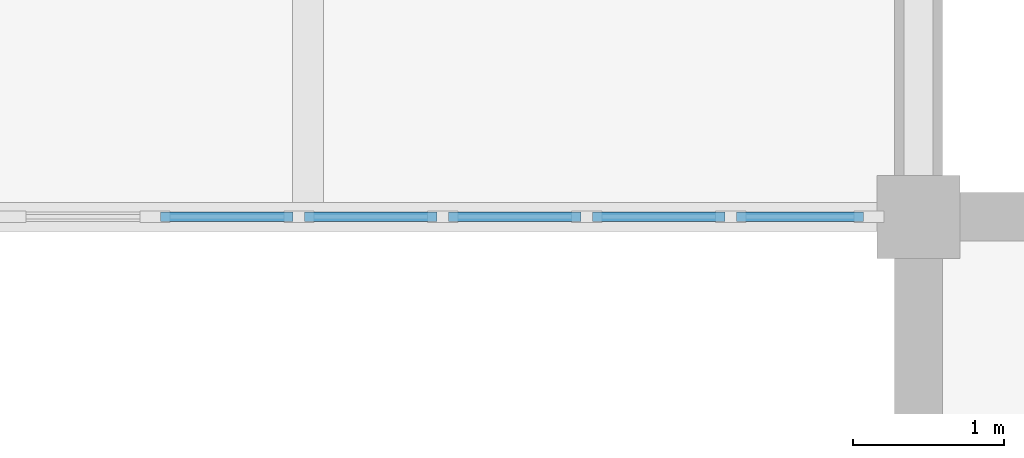
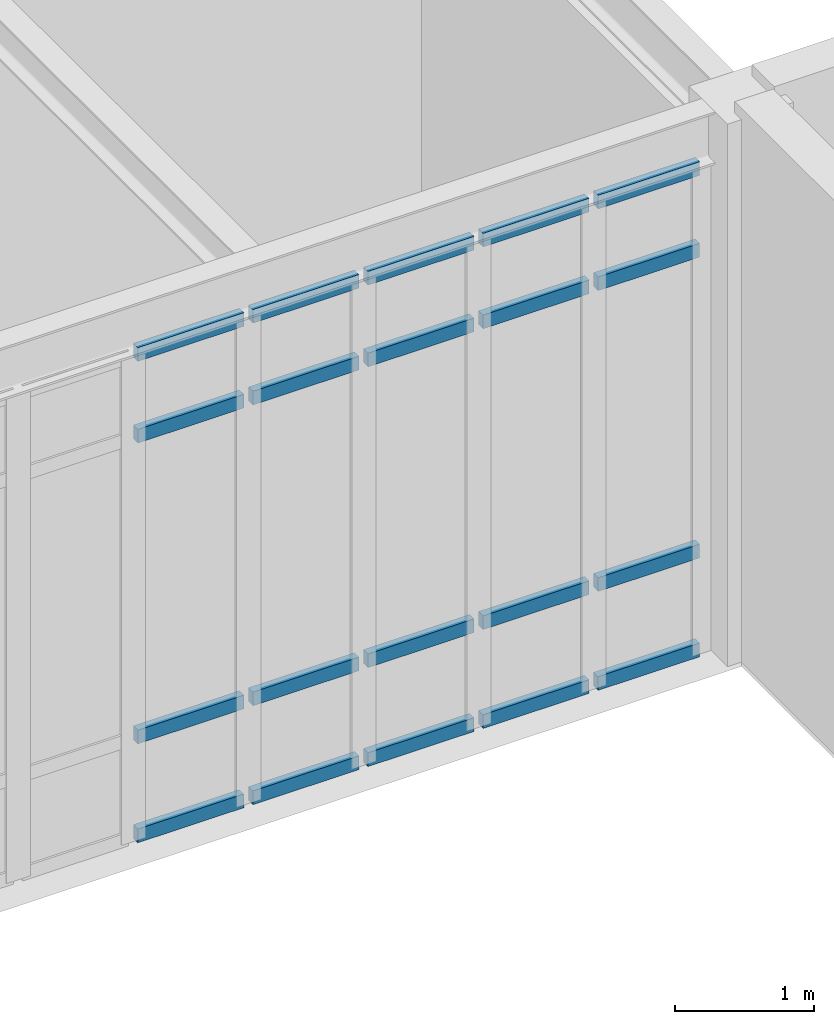
# One storey, part 39 of 70: 20 members, 1 element without a shape of its own.
"""IFC4 building model written with IfcOpenShell, lengths in metres."""

from ifc_helpers import new_model, si_unit, direction, frame, origin, origin_2d, place, context, subcontext, project, spatial, rectangle, extrude, material, material_profile, profile_set, type_object, element, aggregate, save


model = new_model("IFC4")

# Units and contexts
model_context = context("Model", 3, precision=1e-05, world=origin(), true_north=direction((0.0, 1.0)))
body_context = subcontext(model_context, "Body", "Model", "MODEL_VIEW")
ifc_project = project(units=[si_unit("LENGTHUNIT", "METRE"), si_unit("AREAUNIT", "SQUARE_METRE"), si_unit("VOLUMEUNIT", "CUBIC_METRE"), si_unit("PLANEANGLEUNIT", "RADIAN"), si_unit("MASSUNIT", "GRAM", prefix="KILO")], contexts=[model_context])

# Site, building, storey
site_placement = place(None, origin())
site = spatial("IfcSite", under=ifc_project, at=site_placement, CompositionType="ELEMENT")
building_placement = place(site_placement, origin())
building = spatial("IfcBuilding", under=site, at=building_placement, Name="Tarnveldt Square Police Headquarters", CompositionType="ELEMENT")
storey_placement = place(building_placement, frame((0.0, 0.0, 19.800048828125)))
storey = spatial("IfcBuildingStorey", under=building, at=storey_placement, Name="L04", CompositionType="ELEMENT", Elevation=19.800048828125)

# Curtain wall, members
ifc_material_1 = material(Name="Triple-glazed low-e laminated vision glass", Category="glass")
curtain_wall_type = type_object("IfcCurtainWallType", Name="CW-LB-764x429", PredefinedType="USERDEFINED", material=ifc_material_1)
curtain_wall_placement = place(storey_placement, origin())
curtain_wall = element("IfcCurtainWall", 1, at=curtain_wall_placement, inside=storey, type_object=curtain_wall_type, Name="L04 Curtain Wall CW-L04-132", ObjectType="GLAZED CURTAIN WALL", PredefinedType="USERDEFINED")
ifc_material_2 = material(Name="Thermally broken anodised aluminium 6063-T6", Category="aluminium")
ifc_material_profile = material_profile(ifc_material_2, rectangle(XDim=0.06494140625, YDim=0.1201171875, at=origin_2d()), Name="CW-T65x120")
ifc_profile_set = profile_set([ifc_material_profile], Name="Thermally broken anodised aluminium 6063-T6")
member_type = type_object("IfcMemberType", Name="CWT-65x120", PredefinedType="USERDEFINED", material=ifc_profile_set)
member_1_placement = place(storey_placement, frame((100.27197265625, 96.0, 0.032470703125), z_axis=(1.0, 0.0, 0.0), x_axis=(0.0, 1.0, 0.0)))
member_1 = element("IfcMember", 2, at=member_1_placement, type_object=member_type, Name="CW-LB78 transom 4.1", ObjectType="TRANSOM", PredefinedType="USERDEFINED", context=body_context, shape_type="SweptSolid", body=[
    extrude(rectangle(XDim=0.06494140625, YDim=0.1201171875, at=origin_2d()), origin(), (0.0, 0.0, 1.0), 0.880126953125),
])
member_2_placement = place(storey_placement, frame((100.27197265625, 96.0, 0.89990234375), z_axis=(1.0, 0.0, 0.0), x_axis=(0.0, 1.0, 0.0)))
member_2 = element("IfcMember", 3, at=member_2_placement, type_object=member_type, Name="CW-LB78 transom 4.2", ObjectType="TRANSOM", PredefinedType="USERDEFINED", context=body_context, shape_type="SweptSolid", body=[
    extrude(rectangle(XDim=0.06494140625, YDim=0.1201171875, at=origin_2d()), origin(), (0.0, 0.0, 1.0), 0.880126953125),
])
member_3_placement = place(storey_placement, frame((100.27197265625, 96.0, 3.5390625), z_axis=(1.0, 0.0, 0.0), x_axis=(0.0, 1.0, 0.0)))
member_3 = element("IfcMember", 4, at=member_3_placement, type_object=member_type, Name="CW-LB78 transom 4.3", ObjectType="TRANSOM", PredefinedType="USERDEFINED", context=body_context, shape_type="SweptSolid", body=[
    extrude(rectangle(XDim=0.06494140625, YDim=0.1201171875, at=origin_2d()), origin(), (0.0, 0.0, 1.0), 0.880126953125),
])
member_4_placement = place(storey_placement, frame((100.27197265625, 96.0, 4.25634765625), z_axis=(1.0, 0.0, 0.0), x_axis=(0.0, 1.0, 0.0)))
member_4 = element("IfcMember", 5, at=member_4_placement, type_object=member_type, Name="CW-LB78 transom 4.4", ObjectType="TRANSOM", PredefinedType="USERDEFINED", context=body_context, shape_type="SweptSolid", body=[
    extrude(rectangle(XDim=0.06494140625, YDim=0.1201171875, at=origin_2d()), origin(), (0.0, 0.0, 1.0), 0.880126953125),
])
member_5_placement = place(storey_placement, frame((101.22705078125, 96.0, 0.032470703125), z_axis=(1.0, 0.0, 0.0), x_axis=(0.0, 1.0, 0.0)))
member_5 = element("IfcMember", 6, at=member_5_placement, type_object=member_type, Name="CW-LB78 transom 5.1", ObjectType="TRANSOM", PredefinedType="USERDEFINED", context=body_context, shape_type="SweptSolid", body=[
    extrude(rectangle(XDim=0.06494140625, YDim=0.1201171875, at=origin_2d()), origin(), (0.0, 0.0, 1.0), 0.880126953125),
])
member_6_placement = place(storey_placement, frame((101.22705078125, 96.0, 0.89990234375), z_axis=(1.0, 0.0, 0.0), x_axis=(0.0, 1.0, 0.0)))
member_6 = element("IfcMember", 7, at=member_6_placement, type_object=member_type, Name="CW-LB78 transom 5.2", ObjectType="TRANSOM", PredefinedType="USERDEFINED", context=body_context, shape_type="SweptSolid", body=[
    extrude(rectangle(XDim=0.06494140625, YDim=0.1201171875, at=origin_2d()), origin(), (0.0, 0.0, 1.0), 0.880126953125),
])
member_7_placement = place(storey_placement, frame((101.22705078125, 96.0, 3.5390625), z_axis=(1.0, 0.0, 0.0), x_axis=(0.0, 1.0, 0.0)))
member_7 = element("IfcMember", 8, at=member_7_placement, type_object=member_type, Name="CW-LB78 transom 5.3", ObjectType="TRANSOM", PredefinedType="USERDEFINED", context=body_context, shape_type="SweptSolid", body=[
    extrude(rectangle(XDim=0.06494140625, YDim=0.1201171875, at=origin_2d()), origin(), (0.0, 0.0, 1.0), 0.880126953125),
])
member_8_placement = place(storey_placement, frame((101.22705078125, 96.0, 4.25634765625), z_axis=(1.0, 0.0, 0.0), x_axis=(0.0, 1.0, 0.0)))
member_8 = element("IfcMember", 9, at=member_8_placement, type_object=member_type, Name="CW-LB78 transom 5.4", ObjectType="TRANSOM", PredefinedType="USERDEFINED", context=body_context, shape_type="SweptSolid", body=[
    extrude(rectangle(XDim=0.06494140625, YDim=0.1201171875, at=origin_2d()), origin(), (0.0, 0.0, 1.0), 0.880126953125),
])
member_9_placement = place(storey_placement, frame((102.18212890625, 96.0, 0.032470703125), z_axis=(1.0, 0.0, 0.0), x_axis=(0.0, 1.0, 0.0)))
member_9 = element("IfcMember", 10, at=member_9_placement, type_object=member_type, Name="CW-LB78 transom 6.1", ObjectType="TRANSOM", PredefinedType="USERDEFINED", context=body_context, shape_type="SweptSolid", body=[
    extrude(rectangle(XDim=0.06494140625, YDim=0.1201171875, at=origin_2d()), origin(), (0.0, 0.0, 1.0), 0.880126953125),
])
member_10_placement = place(storey_placement, frame((102.18212890625, 96.0, 0.89990234375), z_axis=(1.0, 0.0, 0.0), x_axis=(0.0, 1.0, 0.0)))
member_10 = element("IfcMember", 11, at=member_10_placement, type_object=member_type, Name="CW-LB78 transom 6.2", ObjectType="TRANSOM", PredefinedType="USERDEFINED", context=body_context, shape_type="SweptSolid", body=[
    extrude(rectangle(XDim=0.06494140625, YDim=0.1201171875, at=origin_2d()), origin(), (0.0, 0.0, 1.0), 0.880126953125),
])
member_11_placement = place(storey_placement, frame((102.18212890625, 96.0, 3.5390625), z_axis=(1.0, 0.0, 0.0), x_axis=(0.0, 1.0, 0.0)))
member_11 = element("IfcMember", 12, at=member_11_placement, type_object=member_type, Name="CW-LB78 transom 6.3", ObjectType="TRANSOM", PredefinedType="USERDEFINED", context=body_context, shape_type="SweptSolid", body=[
    extrude(rectangle(XDim=0.06494140625, YDim=0.1201171875, at=origin_2d()), origin(), (0.0, 0.0, 1.0), 0.880126953125),
])
member_12_placement = place(storey_placement, frame((102.18212890625, 96.0, 4.25634765625), z_axis=(1.0, 0.0, 0.0), x_axis=(0.0, 1.0, 0.0)))
member_12 = element("IfcMember", 13, at=member_12_placement, type_object=member_type, Name="CW-LB78 transom 6.4", ObjectType="TRANSOM", PredefinedType="USERDEFINED", context=body_context, shape_type="SweptSolid", body=[
    extrude(rectangle(XDim=0.06494140625, YDim=0.1201171875, at=origin_2d()), origin(), (0.0, 0.0, 1.0), 0.880126953125),
])
member_13_placement = place(storey_placement, frame((103.13720703125, 96.0, 0.032470703125), z_axis=(1.0, 0.0, 0.0), x_axis=(0.0, 1.0, 0.0)))
member_13 = element("IfcMember", 14, at=member_13_placement, type_object=member_type, Name="CW-LB78 transom 7.1", ObjectType="TRANSOM", PredefinedType="USERDEFINED", context=body_context, shape_type="SweptSolid", body=[
    extrude(rectangle(XDim=0.06494140625, YDim=0.1201171875, at=origin_2d()), origin(), (0.0, 0.0, 1.0), 0.880126953125),
])
member_14_placement = place(storey_placement, frame((103.13720703125, 96.0, 0.89990234375), z_axis=(1.0, 0.0, 0.0), x_axis=(0.0, 1.0, 0.0)))
member_14 = element("IfcMember", 15, at=member_14_placement, type_object=member_type, Name="CW-LB78 transom 7.2", ObjectType="TRANSOM", PredefinedType="USERDEFINED", context=body_context, shape_type="SweptSolid", body=[
    extrude(rectangle(XDim=0.06494140625, YDim=0.1201171875, at=origin_2d()), origin(), (0.0, 0.0, 1.0), 0.880126953125),
])
member_15_placement = place(storey_placement, frame((103.13720703125, 96.0, 3.5390625), z_axis=(1.0, 0.0, 0.0), x_axis=(0.0, 1.0, 0.0)))
member_15 = element("IfcMember", 16, at=member_15_placement, type_object=member_type, Name="CW-LB78 transom 7.3", ObjectType="TRANSOM", PredefinedType="USERDEFINED", context=body_context, shape_type="SweptSolid", body=[
    extrude(rectangle(XDim=0.06494140625, YDim=0.1201171875, at=origin_2d()), origin(), (0.0, 0.0, 1.0), 0.880126953125),
])
member_16_placement = place(storey_placement, frame((103.13720703125, 96.0, 4.25634765625), z_axis=(1.0, 0.0, 0.0), x_axis=(0.0, 1.0, 0.0)))
member_16 = element("IfcMember", 17, at=member_16_placement, type_object=member_type, Name="CW-LB78 transom 7.4", ObjectType="TRANSOM", PredefinedType="USERDEFINED", context=body_context, shape_type="SweptSolid", body=[
    extrude(rectangle(XDim=0.06494140625, YDim=0.1201171875, at=origin_2d()), origin(), (0.0, 0.0, 1.0), 0.880126953125),
])
member_17_placement = place(storey_placement, frame((104.09228515625, 96.0, 0.032470703125), z_axis=(1.0, 0.0, 0.0), x_axis=(0.0, 1.0, 0.0)))
member_17 = element("IfcMember", 18, at=member_17_placement, type_object=member_type, Name="CW-LB78 transom 8.1", ObjectType="TRANSOM", PredefinedType="USERDEFINED", context=body_context, shape_type="SweptSolid", body=[
    extrude(rectangle(XDim=0.06494140625, YDim=0.1201171875, at=origin_2d()), origin(), (0.0, 0.0, 1.0), 0.8427734375),
])
member_18_placement = place(storey_placement, frame((104.09228515625, 96.0, 0.89990234375), z_axis=(1.0, 0.0, 0.0), x_axis=(0.0, 1.0, 0.0)))
member_18 = element("IfcMember", 19, at=member_18_placement, type_object=member_type, Name="CW-LB78 transom 8.2", ObjectType="TRANSOM", PredefinedType="USERDEFINED", context=body_context, shape_type="SweptSolid", body=[
    extrude(rectangle(XDim=0.06494140625, YDim=0.1201171875, at=origin_2d()), origin(), (0.0, 0.0, 1.0), 0.8427734375),
])
member_19_placement = place(storey_placement, frame((104.09228515625, 96.0, 3.5390625), z_axis=(1.0, 0.0, 0.0), x_axis=(0.0, 1.0, 0.0)))
member_19 = element("IfcMember", 20, at=member_19_placement, type_object=member_type, Name="CW-LB78 transom 8.3", ObjectType="TRANSOM", PredefinedType="USERDEFINED", context=body_context, shape_type="SweptSolid", body=[
    extrude(rectangle(XDim=0.06494140625, YDim=0.1201171875, at=origin_2d()), origin(), (0.0, 0.0, 1.0), 0.8427734375),
])
member_20_placement = place(storey_placement, frame((104.09228515625, 96.0, 4.25634765625), z_axis=(1.0, 0.0, 0.0), x_axis=(0.0, 1.0, 0.0)))
member_20 = element("IfcMember", 21, at=member_20_placement, type_object=member_type, Name="CW-LB78 transom 8.4", ObjectType="TRANSOM", PredefinedType="USERDEFINED", context=body_context, shape_type="SweptSolid", body=[
    extrude(rectangle(XDim=0.06494140625, YDim=0.1201171875, at=origin_2d()), origin(), (0.0, 0.0, 1.0), 0.8427734375),
])
aggregate(curtain_wall, [member_1, member_2, member_3, member_4, member_5, member_6, member_7, member_8, member_9, member_10, member_11, member_12, member_13, member_14, member_15, member_16, member_17, member_18, member_19, member_20])

save(model, "model.ifc")
